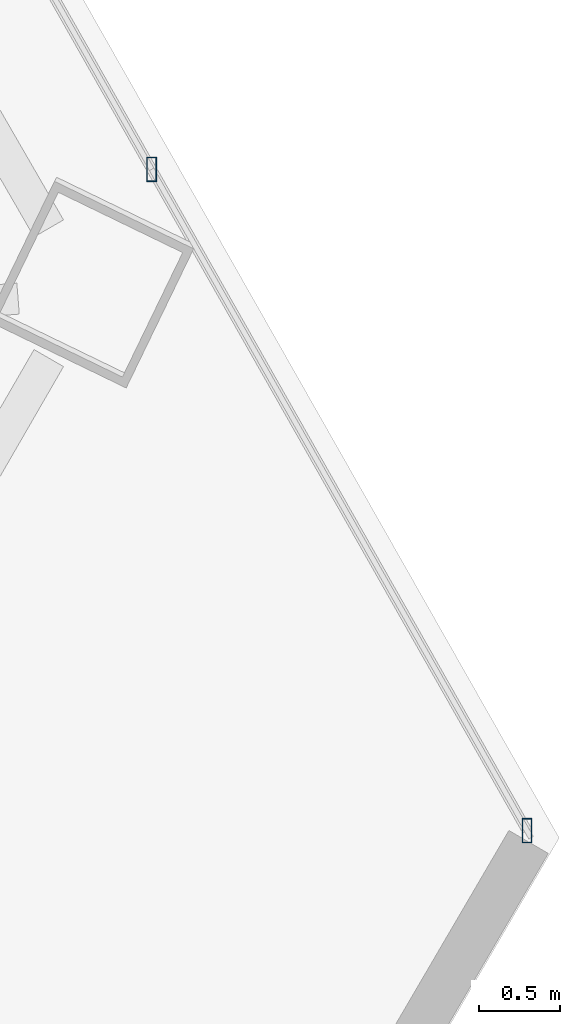
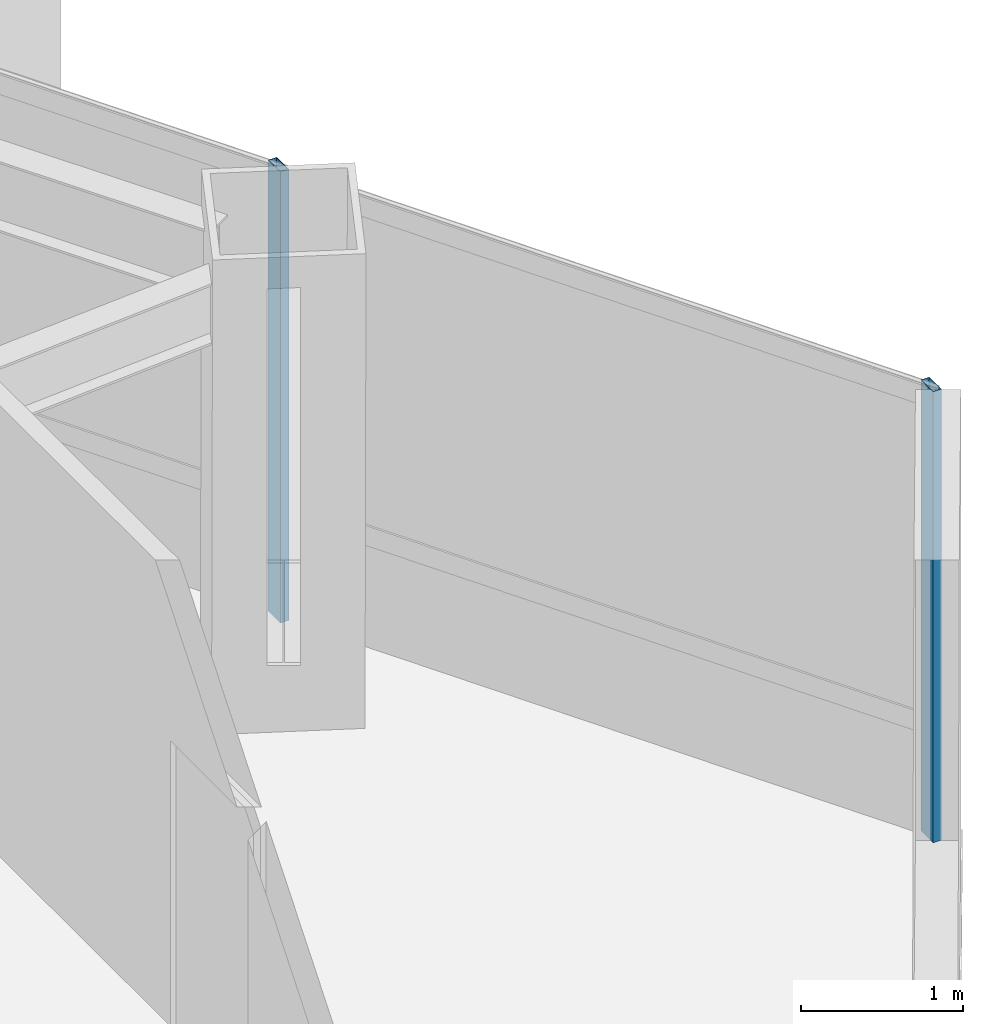
# One storey, part 21 of 42: 2 members, 1 element without a shape of its own.
"""IFC4 building model written with IfcOpenShell, lengths in metres."""

from ifc_helpers import new_model, si_unit, direction, frame, origin, origin_2d, place, context, subcontext, project, spatial, hollow_rectangle, extrude, source, transform, mapped, material, material_profile, profile_set, type_object, type_shapes, element, aggregate, save


model = new_model("IFC4")

# Units and contexts
model_context = context("Model", 3, precision=1e-05, world=origin(), true_north=direction((0.0, 1.0)))
body_context = subcontext(model_context, "Body", "Model", "MODEL_VIEW")
ifc_project = project(units=[si_unit("LENGTHUNIT", "METRE"), si_unit("AREAUNIT", "SQUARE_METRE"), si_unit("VOLUMEUNIT", "CUBIC_METRE"), si_unit("PLANEANGLEUNIT", "RADIAN"), si_unit("MASSUNIT", "GRAM", prefix="KILO")], contexts=[model_context])

# Site, building, storey
site_placement = place(None, origin())
site = spatial("IfcSite", under=ifc_project, at=site_placement, CompositionType="ELEMENT")
building_placement = place(site_placement, origin())
building = spatial("IfcBuilding", under=site, at=building_placement, Name="Caelisora Broadcast Tower", CompositionType="ELEMENT")
storey_placement = place(building_placement, frame((0.0, 0.0, 131.800048828125)))
storey = spatial("IfcBuildingStorey", under=building, at=storey_placement, Name="L34", CompositionType="ELEMENT", Elevation=131.800048828125)

# Curtain wall, members
ifc_material_1 = material(Name="Unitised Aluminium and Low-E Glass Curtain Wall", Category="glass")
curtain_wall_type = type_object("IfcCurtainWallType", Name="CW-Z3", PredefinedType="NOTDEFINED", material=ifc_material_1)
curtain_wall_placement = place(storey_placement, origin())
curtain_wall = element("IfcCurtainWall", 1, at=curtain_wall_placement, inside=storey, type_object=curtain_wall_type, Name="L34 curtain wall CW-Z3", PredefinedType="NOTDEFINED")
ifc_material_2 = material(Name="Aluminium 6063-T6 Anodised Terracotta Bronze", Category="aluminium")
ifc_material_profile = material_profile(ifc_material_2, hollow_rectangle(XDim=0.06005859375, YDim=0.14990234375, WallThickness=0.00341796875, at=origin_2d()), Name="Aluminium 6063-T6 Anodised Terracotta Bronze")
ifc_profile_set = profile_set([ifc_material_profile], Name="Aluminium 6063-T6 Anodised Terracotta Bronze")
member_type = type_object("IfcMemberType", Name="CWM-03", PredefinedType="MULLION", material=ifc_profile_set)
shared_shape = source(origin(), body_context, "Body", "SweptSolid", [
    extrude(hollow_rectangle(XDim=0.06005859375, YDim=0.14990234375, WallThickness=0.00341796875, at=origin_2d()), origin(), (0.0, 0.0, 1.0), 3.39990234375),
])
type_shapes(member_type, [shared_shape])
member_1_placement = place(storey_placement, frame((61.222412109375, 19.363525390625, 0.0), z_axis=(0.0, 0.0, 1.0), x_axis=(1.0, 0.0, 0.0)))
member_1 = element("IfcMember", 2, at=member_1_placement, type_object=member_type, Name="L34-CW-B03 mullion #2", PredefinedType="MULLION", context=body_context, shape_type="MappedRepresentation", body=[
    mapped(shared_shape, transform((0.0, 0.0, 0.0), scale=1.0)),
])
member_2_placement = place(storey_placement, frame((63.529296875, 15.299560546875, 0.0), z_axis=(0.0, 0.0, 1.0), x_axis=(1.0, 0.0, 0.0)))
member_2 = element("IfcMember", 3, at=member_2_placement, type_object=member_type, Name="L34-CW-B03 mullion #3", PredefinedType="MULLION", context=body_context, shape_type="MappedRepresentation", body=[
    mapped(shared_shape, transform((0.0, 0.0, 0.0), scale=1.0)),
])
aggregate(curtain_wall, [member_1, member_2])

save(model, "model.ifc")
